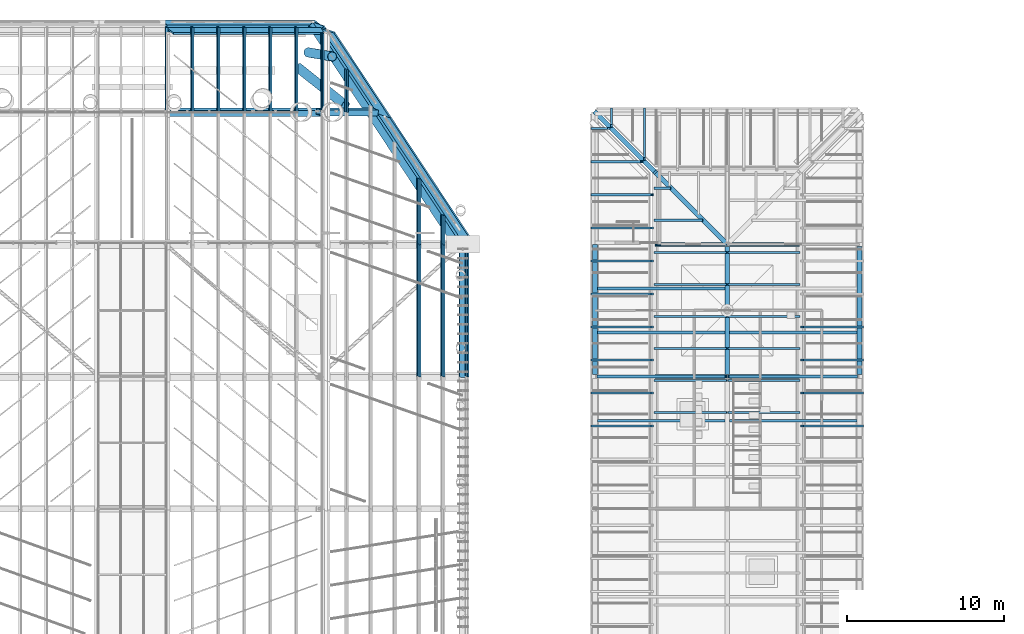
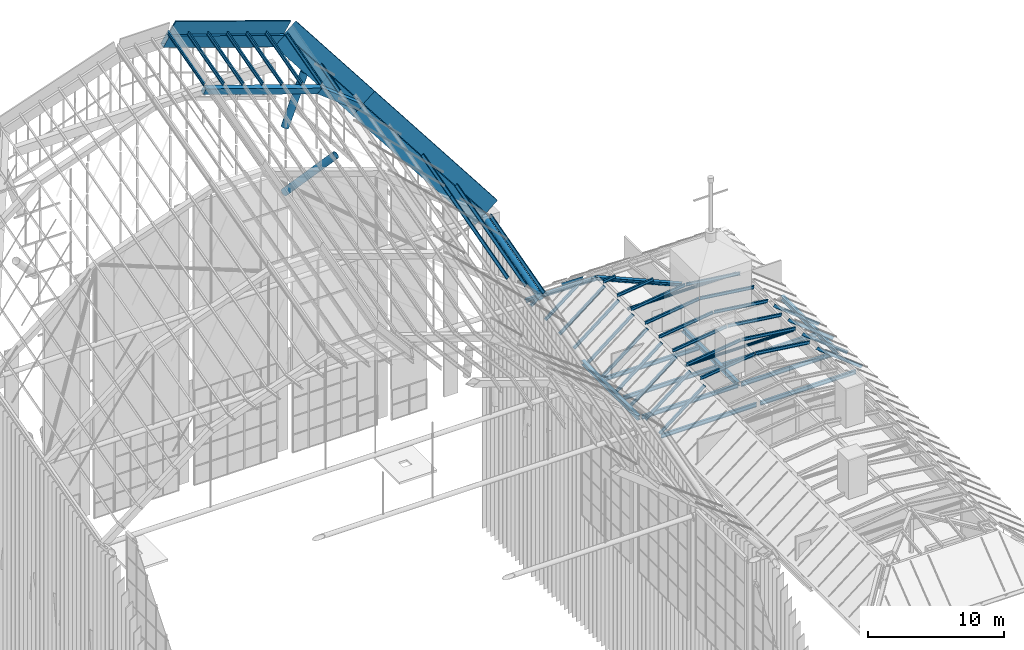
# One storey, part 67 of 126: 50 members, 18 beams.
"""IFC4 building model written with IfcOpenShell, lengths in metres."""

from ifc_helpers import new_model, si_unit, direction, frame, origin, origin_2d, place, context, subcontext, project, spatial, polyline, rectangle, hollow_circle, i_section, outline, extrude, material, material_profile, profile_set, type_object, element, save


model = new_model("IFC4")

# Units and contexts
model_context = context("Model", 3, precision=1e-05, world=origin(), true_north=direction((0.0, 1.0)))
body_context = subcontext(model_context, "Body", "Model", "MODEL_VIEW")
ifc_project = project(units=[si_unit("LENGTHUNIT", "METRE"), si_unit("AREAUNIT", "SQUARE_METRE"), si_unit("VOLUMEUNIT", "CUBIC_METRE"), si_unit("PLANEANGLEUNIT", "RADIAN"), si_unit("MASSUNIT", "GRAM", prefix="KILO")], contexts=[model_context])

# Site, building, storey
site_placement = place(None, origin())
site = spatial("IfcSite", under=ifc_project, at=site_placement, CompositionType="ELEMENT")
building_placement = place(site_placement, origin())
building = spatial("IfcBuilding", under=site, at=building_placement, Name="Sava Quay Ferry Terminal", CompositionType="ELEMENT")
storey_placement = place(building_placement, frame((0.0, 0.0, 15.0)))
storey = spatial("IfcBuildingStorey", under=building, at=storey_placement, Name="L03", CompositionType="ELEMENT", Elevation=15.0)

# Beams
ifc_material_1 = material(Name="Steel S355", Category="steel")
ifc_material_profile_1 = material_profile(ifc_material_1, i_section(OverallWidth=0.169921875, OverallDepth=0.360107421875, WebThickness=0.008056640625, FlangeThickness=0.0126953125, at=origin_2d()), Name="IPE 360")
ifc_profile_set_1 = profile_set([ifc_material_profile_1], Name="Steel S355")
beam_type_1 = type_object("IfcBeamType", Name="Beam IPE 360", PredefinedType="BEAM", material=ifc_profile_set_1)
beam_1_placement = place(storey_placement, frame((92.530029296875, 92.39990234375, -0.31005859375), z_axis=(1.0, 0.0, 0.0), x_axis=(0.0, 1.0, 0.0)))
element("IfcBeam", 1, at=beam_1_placement, inside=storey, type_object=beam_type_1, Name="Beam L03", PredefinedType="BEAM", context=body_context, shape_type="SweptSolid", body=[
    extrude(i_section(OverallWidth=0.169921875, OverallDepth=0.360107421875, WebThickness=0.008056640625, FlangeThickness=0.0126953125, at=origin_2d()), origin(), (0.0, 0.0, 1.0), 8.139892578125),
])
beam_2_placement = place(storey_placement, frame((100.929931640625, 92.39990234375, -0.31005859375), z_axis=(1.0, 0.0, 0.0), x_axis=(0.0, 1.0, 0.0)))
element("IfcBeam", 2, at=beam_2_placement, inside=storey, type_object=beam_type_1, Name="Beam L03", PredefinedType="BEAM", context=body_context, shape_type="SweptSolid", body=[
    extrude(i_section(OverallWidth=0.169921875, OverallDepth=0.360107421875, WebThickness=0.008056640625, FlangeThickness=0.0126953125, at=origin_2d()), origin(), (0.0, 0.0, 1.0), 8.14013671875),
])
for number, where, z_axis, x_axis, name in (
    (3, (92.550048828125, 89.60009765625, -0.31005859375), (1.0, 0.0, 0.0), (0.0, 1.0, 0.0), "Secondary beam L03"),
    (4, (92.550048828125, 95.199951171875, -0.31005859375), (1.0, 0.0, 0.0), (0.0, 1.0, 0.0), "Secondary beam L03"),
    (5, (92.550048828125, 98.0, -0.31005859375), (1.0, 0.0, 0.0), (0.0, 1.0, 0.0), "Secondary beam L03"),
):
    element("IfcBeam", number, at=place(storey_placement, frame(where, z_axis=z_axis, x_axis=x_axis)), inside=storey, type_object=beam_type_1, Name=name, PredefinedType="BEAM", context=body_context, shape_type="SweptSolid", body=[
        extrude(i_section(OverallWidth=0.169921875, OverallDepth=0.360107421875, WebThickness=0.008056640625, FlangeThickness=0.0126953125, at=origin_2d()), origin(), (0.0, 0.0, 1.0), 8.099853515625),
    ])
for number, where, z_axis, x_axis, name in (
    (6, (100.949951171875, 89.60009765625, -0.31005859375), (1.0, 0.0, 0.0), (0.0, 1.0, 0.0), "Secondary beam L03"),
    (7, (100.949951171875, 95.199951171875, -0.31005859375), (1.0, 0.0, 0.0), (0.0, 1.0, 0.0), "Secondary beam L03"),
):
    element("IfcBeam", number, at=place(storey_placement, frame(where, z_axis=z_axis, x_axis=x_axis)), inside=storey, type_object=beam_type_1, Name=name, PredefinedType="BEAM", context=body_context, shape_type="SweptSolid", body=[
        extrude(i_section(OverallWidth=0.169921875, OverallDepth=0.360107421875, WebThickness=0.008056640625, FlangeThickness=0.0126953125, at=origin_2d()), origin(), (0.0, 0.0, 1.0), 8.10009765625),
    ])
ifc_material_2 = material(Name="Steel S355", Category="steel")
ifc_material_profile_2 = material_profile(ifc_material_2, outline(polyline([(-0.199951171875, -0.300048828125), (0.199951171875, -0.300048828125), (0.199951171875, 0.300048828125), (-0.199951171875, 0.300048828125), (-0.199951171875, -0.300048828125)]), holes=[polyline([(-0.175048828125, -0.27490234375), (-0.175048828125, 0.27490234375), (0.175048828125, 0.27490234375), (0.175048828125, -0.27490234375), (-0.175048828125, -0.27490234375)])]), Name="Box 600x400x25 built-up")
ifc_profile_set_2 = profile_set([ifc_material_profile_2], Name="Steel S355")
beam_type_2 = type_object("IfcBeamType", Name="D folded rib Box 600x400x25", PredefinedType="BEAM", material=ifc_profile_set_2)
beam_3_placement = place(storey_placement, frame((65.10009765625, 109.199951171875, 28.420166015625), z_axis=(0.945520775213, 0.0, -0.325561766247), x_axis=(0.081521326209, 0.968141944568, 0.236760318764)))
element("IfcBeam", 8, at=beam_3_placement, inside=storey, type_object=beam_type_2, Name="Departure hall nose frame R7 seg 4", PredefinedType="BEAM", context=body_context, shape_type="SweptSolid", body=[
    extrude(outline(polyline([(-0.199951171875, -0.300048828125), (0.199951171875, -0.300048828125), (0.199951171875, 0.300048828125), (-0.199951171875, 0.300048828125), (-0.199951171875, -0.300048828125)]), holes=[polyline([(-0.175048828125, -0.27490234375), (-0.175048828125, 0.27490234375), (0.175048828125, 0.27490234375), (0.175048828125, -0.27490234375), (-0.175048828125, -0.27490234375)])]), origin(), (0.0, 0.0, 1.0), 10.3330078125),
])
beam_4_placement = place(storey_placement, frame((74.8701171875, 109.199951171875, 25.05615234375), z_axis=(0.787999064152, 0.0, -0.615676436852), x_axis=(0.129733207142, 0.977547206391, 0.166044434542)))
element("IfcBeam", 9, at=beam_4_placement, inside=storey, type_object=beam_type_2, Name="Departure hall nose frame R7 seg 5", PredefinedType="BEAM", context=body_context, shape_type="SweptSolid", body=[
    extrude(outline(polyline([(-0.199951171875, -0.300048828125), (0.199951171875, -0.300048828125), (0.199951171875, 0.300048828125), (-0.199951171875, 0.300048828125), (-0.199951171875, -0.300048828125)]), holes=[polyline([(-0.175048828125, -0.27490234375), (-0.175048828125, 0.27490234375), (0.175048828125, 0.27490234375), (0.175048828125, -0.27490234375), (-0.175048828125, -0.27490234375)])]), origin(), (0.0, 0.0, 1.0), 4.53369140625),
])
ifc_material_3 = material(Name="Steel S355", Category="steel")
ifc_material_profile_3 = material_profile(ifc_material_3, hollow_circle(Radius=0.228515625, WallThickness=0.01611328125, at=origin_2d()), Name="CHS 457 x 16.0")
ifc_profile_set_3 = profile_set([ifc_material_profile_3], Name="Steel S355")
beam_type_3 = type_object("IfcBeamType", Name="Eave beam CHS 457x16", PredefinedType="BEAM", material=ifc_profile_set_3)
beam_5_placement = place(storey_placement, frame((84.0, 92.39990234375, 13.326904296875), z_axis=(0.0, 0.964555206992, 0.26388113359), x_axis=(-1.0, 0.0, 0.0)))
element("IfcBeam", 10, at=beam_5_placement, inside=storey, type_object=beam_type_3, Name="Departure hall eave beam R6", PredefinedType="BEAM", context=body_context, shape_type="SweptSolid", body=[
    extrude(hollow_circle(Radius=0.228515625, WallThickness=0.01611328125, at=origin_2d()), origin(), (0.0, 0.0, 1.0), 8.708740234375),
])
ifc_material_4 = material(Name="Steel S355", Category="steel")
ifc_material_profile_4 = material_profile(ifc_material_4, i_section(OverallWidth=0.300048828125, OverallDepth=0.389892578125, WebThickness=0.010986328125, FlangeThickness=0.01904296875, at=origin_2d()), Name="HE 400 A")
ifc_profile_set_4 = profile_set([ifc_material_profile_4], Name="Steel S355")
beam_type_4 = type_object("IfcBeamType", Name="Girder HE 400 A", PredefinedType="BEAM", material=ifc_profile_set_4)
beam_6_placement = place(storey_placement, frame((100.800048828125, 92.530029296875, -0.324951171875), z_axis=(0.0, 1.0, 0.0), x_axis=(-1.0, 0.0, 0.0)))
element("IfcBeam", 11, at=beam_6_placement, inside=storey, type_object=beam_type_4, Name="Girder L03", PredefinedType="BEAM", context=body_context, shape_type="SweptSolid", body=[
    extrude(i_section(OverallWidth=0.300048828125, OverallDepth=0.389892578125, WebThickness=0.010986328125, FlangeThickness=0.01904296875, at=origin_2d()), origin(), (0.0, 0.0, 1.0), 8.139892578125),
])
beam_7_placement = place(storey_placement, frame((92.39990234375, 92.530029296875, -0.41162109375), z_axis=(0.0, 1.0, 0.0), x_axis=(-1.0, 0.0, 0.0)))
element("IfcBeam", 12, at=beam_7_placement, inside=storey, type_object=beam_type_4, Name="Girder L03", PredefinedType="BEAM", context=body_context, shape_type="SweptSolid", body=[
    extrude(i_section(OverallWidth=0.300048828125, OverallDepth=0.389892578125, WebThickness=0.010986328125, FlangeThickness=0.01904296875, at=origin_2d()), origin(), (0.0, 0.0, 1.0), 8.27001953125),
])
beam_8_placement = place(storey_placement, frame((109.199951171875, 92.530029296875, -0.41162109375), z_axis=(0.0, 1.0, 0.0), x_axis=(-1.0, 0.0, 0.0)))
element("IfcBeam", 13, at=beam_8_placement, inside=storey, type_object=beam_type_4, Name="Girder L03", PredefinedType="BEAM", context=body_context, shape_type="SweptSolid", body=[
    extrude(i_section(OverallWidth=0.300048828125, OverallDepth=0.389892578125, WebThickness=0.010986328125, FlangeThickness=0.01904296875, at=origin_2d()), origin(), (0.0, 0.0, 1.0), 8.139892578125),
])

# Members
ifc_material_5 = material(Name="Steel S355", Category="steel")
ifc_material_profile_5 = material_profile(ifc_material_5, hollow_circle(Radius=0.122314453125, WallThickness=0.008056640625, at=origin_2d()), Name="CHS 244.5 x 8.0")
ifc_profile_set_5 = profile_set([ifc_material_profile_5], Name="Steel S355")
member_type_1 = type_object("IfcMemberType", Name="Knee tie CHS 244.5x8", PredefinedType="USERDEFINED", material=ifc_profile_set_5)
for number, where, z_axis, x_axis, name in (
    (14, (96.21826171875, 92.39990234375, 3.0), (1.0, 0.0, 0.0), (0.0, 1.0, 0.0), "Mansard knee tie O-tie.3"),
    (15, (96.21826171875, 100.800048828125, 3.0), (1.0, 0.0, 0.0), (0.0, 1.0, 0.0), "Mansard knee tie O-tie.4"),
):
    element("IfcMember", number, at=place(storey_placement, frame(where, z_axis=z_axis, x_axis=x_axis)), inside=storey, type_object=member_type_1, Name=name, ObjectType="KNEE TIE", PredefinedType="USERDEFINED", context=body_context, shape_type="SweptSolid", body=[
        extrude(hollow_circle(Radius=0.122314453125, WallThickness=0.008056640625, at=origin_2d()), origin(), (0.0, 0.0, 1.0), 9.16357421875),
    ])

# Beams
ifc_material_6 = material(Name="Steel S355", Category="steel")
ifc_material_profile_6 = material_profile(ifc_material_6, i_section(OverallWidth=0.300048828125, OverallDepth=0.2900390625, WebThickness=0.008544921875, FlangeThickness=0.013916015625, at=origin_2d()), Name="HE 300 A")
ifc_profile_set_6 = profile_set([ifc_material_profile_6], Name="Steel S355")
beam_type_5 = type_object("IfcBeamType", Name="Mansard beam HE 300 A", PredefinedType="BEAM", material=ifc_profile_set_6)
beam_9_placement = place(storey_placement, frame((92.39990234375, 109.199951171875, 0.0), z_axis=(0.618136979793, -0.618097456968, 0.48565647108), x_axis=(0.707084174387, 0.707129387263, 0.0)))
element("IfcBeam", 16, at=beam_9_placement, inside=storey, type_object=beam_type_5, Name="Mansard hip beam hip.E3", PredefinedType="BEAM", context=body_context, shape_type="SweptSolid", body=[
    extrude(i_section(OverallWidth=0.300048828125, OverallDepth=0.2900390625, WebThickness=0.008544921875, FlangeThickness=0.013916015625, at=origin_2d()), origin(), (0.0, 0.0, 1.0), 6.17724609375),
])
beam_10_placement = place(storey_placement, frame((96.21826171875, 105.3818359375, 3.0), z_axis=(0.704093662632, -0.704093662632, 0.092218373888), x_axis=(0.707106781187, 0.707106781187, 0.0)))
element("IfcBeam", 17, at=beam_10_placement, inside=storey, type_object=beam_type_5, Name="Mansard hip beam hip.K3", PredefinedType="BEAM", context=body_context, shape_type="SweptSolid", body=[
    extrude(i_section(OverallWidth=0.300048828125, OverallDepth=0.2900390625, WebThickness=0.008544921875, FlangeThickness=0.013916015625, at=origin_2d()), origin(), (0.0, 0.0, 1.0), 6.50732421875),
])

# Members
ifc_material_7 = material(Name="Steel S355", Category="steel")
ifc_material_profile_7 = material_profile(ifc_material_7, i_section(OverallWidth=0.135009765625, OverallDepth=0.27001953125, WebThickness=0.006591796875, FlangeThickness=0.01025390625, at=origin_2d()), Name="IPE 270")
ifc_profile_set_7 = profile_set([ifc_material_profile_7], Name="Steel S355")
member_type_2 = type_object("IfcMemberType", Name="Mansard rafter IPE 270", PredefinedType="RAFTER", material=ifc_profile_set_7)
for number, where, z_axis, x_axis, name in (
    (18, (109.373046875, 89.25, 0.22021484375), (-0.786332295644, 0.0, 0.617803788291), (0.0, -1.0, 0.0), "Mansard rafter O-L1-RA14"),
    (19, (109.373046875, 91.35009765625, 0.22021484375), (-0.786332295644, 0.0, 0.617803788291), (0.0, -1.0, 0.0), "Mansard rafter O-L1-RA15"),
    (20, (109.373046875, 93.449951171875, 0.22021484375), (-0.786332295644, 0.0, 0.617803788291), (0.0, -1.0, 0.0), "Mansard rafter O-L1-RA16"),
    (21, (109.373046875, 95.550048828125, 0.22021484375), (-0.786332295644, 0.0, 0.617803788291), (0.0, -1.0, 0.0), "Mansard rafter O-L1-RA17"),
):
    element("IfcMember", number, at=place(storey_placement, frame(where, z_axis=z_axis, x_axis=x_axis)), inside=storey, type_object=member_type_2, Name=name, PredefinedType="RAFTER", context=body_context, shape_type="SweptSolid", body=[
        extrude(i_section(OverallWidth=0.135009765625, OverallDepth=0.27001953125, WebThickness=0.006591796875, FlangeThickness=0.01025390625, at=origin_2d()), origin(), (0.0, 0.0, 1.0), 4.85595703125),
    ])
member_1_placement = place(storey_placement, frame((95.550048828125, 109.373046875, 0.22021484375), z_axis=(0.0, -0.786350059008, 0.617781178653), x_axis=(1.0, 0.0, 0.0)))
element("IfcMember", 22, at=member_1_placement, inside=storey, type_object=member_type_2, Name="Mansard rafter O-L2-RA6", PredefinedType="RAFTER", context=body_context, shape_type="SweptSolid", body=[
    extrude(i_section(OverallWidth=0.135009765625, OverallDepth=0.27001953125, WebThickness=0.006591796875, FlangeThickness=0.01025390625, at=origin_2d()), origin(), (0.0, 0.0, 1.0), 4.006103515625),
])
for number, where, z_axis, x_axis, name in (
    (23, (93.449951171875, 109.373046875, 0.22021484375), (0.0, -0.786350059008, 0.617781178653), (1.0, 0.0, 0.0), "Mansard rafter O-L2-RA7"),
    (24, (92.22705078125, 108.14990234375, 0.22021484375), (0.786350059008, 0.0, 0.617781178653), (0.0, 1.0, 0.0), "Mansard rafter O-L3-RA0"),
):
    element("IfcMember", number, at=place(storey_placement, frame(where, z_axis=z_axis, x_axis=x_axis)), inside=storey, type_object=member_type_2, Name=name, PredefinedType="RAFTER", context=body_context, shape_type="SweptSolid", body=[
        extrude(i_section(OverallWidth=0.135009765625, OverallDepth=0.27001953125, WebThickness=0.006591796875, FlangeThickness=0.01025390625, at=origin_2d()), origin(), (0.0, 0.0, 1.0), 1.33544921875),
    ])
member_2_placement = place(storey_placement, frame((92.22705078125, 106.050048828125, 0.22021484375), z_axis=(0.786326798147, 0.0, 0.617810785368), x_axis=(0.0, 1.0, 0.0)))
element("IfcMember", 25, at=member_2_placement, inside=storey, type_object=member_type_2, Name="Mansard rafter O-L3-RA1", PredefinedType="RAFTER", context=body_context, shape_type="SweptSolid", body=[
    extrude(i_section(OverallWidth=0.135009765625, OverallDepth=0.27001953125, WebThickness=0.006591796875, FlangeThickness=0.01025390625, at=origin_2d()), origin(), (0.0, 0.0, 1.0), 4.005859375),
])
for number, where, z_axis, x_axis, name in (
    (26, (92.22705078125, 103.949951171875, 0.22021484375), (0.786313104704, 0.0, 0.617828213479), (0.0, 1.0, 0.0), "Mansard rafter O-L3-RA2"),
    (27, (92.22705078125, 101.85009765625, 0.22021484375), (0.786313104704, 0.0, 0.617828213479), (0.0, 1.0, 0.0), "Mansard rafter O-L3-RA3"),
    (28, (92.22705078125, 99.75, 0.22021484375), (0.786313104704, 0.0, 0.617828213479), (0.0, 1.0, 0.0), "Mansard rafter O-L3-RA4"),
    (29, (92.22705078125, 97.64990234375, 0.22021484375), (0.786313104704, 0.0, 0.617828213479), (0.0, 1.0, 0.0), "Mansard rafter O-L3-RA5"),
    (30, (92.22705078125, 95.550048828125, 0.22021484375), (0.786313104704, 0.0, 0.617828213479), (0.0, 1.0, 0.0), "Mansard rafter O-L3-RA6"),
    (31, (92.22705078125, 93.449951171875, 0.22021484375), (0.786313104704, 0.0, 0.617828213479), (0.0, 1.0, 0.0), "Mansard rafter O-L3-RA7"),
    (32, (92.22705078125, 91.35009765625, 0.22021484375), (0.786313104704, 0.0, 0.617828213479), (0.0, 1.0, 0.0), "Mansard rafter O-L3-RA8"),
    (33, (92.22705078125, 89.25, 0.22021484375), (0.786313104704, 0.0, 0.617828213479), (0.0, 1.0, 0.0), "Mansard rafter O-L3-RA9"),
):
    element("IfcMember", number, at=place(storey_placement, frame(where, z_axis=z_axis, x_axis=x_axis)), inside=storey, type_object=member_type_2, Name=name, PredefinedType="RAFTER", context=body_context, shape_type="SweptSolid", body=[
        extrude(i_section(OverallWidth=0.135009765625, OverallDepth=0.27001953125, WebThickness=0.006591796875, FlangeThickness=0.01025390625, at=origin_2d()), origin(), (0.0, 0.0, 1.0), 4.855712890625),
    ])
for number, where, z_axis, x_axis, name in (
    (34, (105.418212890625, 90.109130859375, 3.277587890625), (-0.991531626892, 0.0, 0.129865441408), (0.0, -1.0, 0.0), "Mansard rafter O-U1-RA13"),
    (35, (105.418212890625, 92.1455078125, 3.277587890625), (-0.991531626892, 0.0, 0.129865441408), (0.0, -1.0, 0.0), "Mansard rafter O-U1-RA14"),
    (36, (105.418212890625, 94.181884765625, 3.277587890625), (-0.991531626892, 0.0, 0.129865441408), (0.0, -1.0, 0.0), "Mansard rafter O-U1-RA15"),
    (37, (105.418212890625, 96.21826171875, 3.277587890625), (-0.991531626892, 0.0, 0.129865441408), (0.0, -1.0, 0.0), "Mansard rafter O-U1-RA16"),
    (38, (105.418212890625, 98.254638671875, 3.277587890625), (-0.991531626892, 0.0, 0.129865441408), (0.0, -1.0, 0.0), "Mansard rafter O-U1-RA17"),
    (39, (105.418212890625, 100.291015625, 3.277587890625), (-0.991531626892, 0.0, 0.129865441408), (0.0, -1.0, 0.0), "Mansard rafter O-U1-RA18"),
):
    element("IfcMember", number, at=place(storey_placement, frame(where, z_axis=z_axis, x_axis=x_axis)), inside=storey, type_object=member_type_2, Name=name, PredefinedType="RAFTER", context=body_context, shape_type="SweptSolid", body=[
        extrude(i_section(OverallWidth=0.135009765625, OverallDepth=0.27001953125, WebThickness=0.006591796875, FlangeThickness=0.01025390625, at=origin_2d()), origin(), (0.0, 0.0, 1.0), 4.620849609375),
    ])
member_3_placement = place(storey_placement, frame((96.181884765625, 104.363525390625, 3.277587890625), z_axis=(0.991536647804, 0.0, 0.129827100648), x_axis=(0.0, 1.0, 0.0)))
element("IfcMember", 40, at=member_3_placement, inside=storey, type_object=member_type_2, Name="Mansard rafter O-U3-RA0", PredefinedType="RAFTER", context=body_context, shape_type="SweptSolid", body=[
    extrude(i_section(OverallWidth=0.135009765625, OverallDepth=0.27001953125, WebThickness=0.006591796875, FlangeThickness=0.01025390625, at=origin_2d()), origin(), (0.0, 0.0, 1.0), 1.02685546875),
])
member_4_placement = place(storey_placement, frame((96.181884765625, 102.327392578125, 3.277587890625), z_axis=(0.991527779259, 0.0, 0.129894814979), x_axis=(0.0, 1.0, 0.0)))
element("IfcMember", 41, at=member_4_placement, inside=storey, type_object=member_type_2, Name="Mansard rafter O-U3-RA1", PredefinedType="RAFTER", context=body_context, shape_type="SweptSolid", body=[
    extrude(i_section(OverallWidth=0.135009765625, OverallDepth=0.27001953125, WebThickness=0.006591796875, FlangeThickness=0.01025390625, at=origin_2d()), origin(), (0.0, 0.0, 1.0), 3.08056640625),
])
for number, where, z_axis, x_axis, name in (
    (42, (96.181884765625, 100.291015625, 3.277587890625), (0.991531626892, 0.0, 0.129865441408), (0.0, 1.0, 0.0), "Mansard rafter O-U3-RA2"),
    (43, (96.181884765625, 98.254638671875, 3.277587890625), (0.991531626892, 0.0, 0.129865441408), (0.0, 1.0, 0.0), "Mansard rafter O-U3-RA3"),
    (44, (96.181884765625, 96.21826171875, 3.277587890625), (0.991531626892, 0.0, 0.129865441408), (0.0, 1.0, 0.0), "Mansard rafter O-U3-RA4"),
    (45, (96.181884765625, 94.181884765625, 3.277587890625), (0.991531626892, 0.0, 0.129865441408), (0.0, 1.0, 0.0), "Mansard rafter O-U3-RA5"),
    (46, (96.181884765625, 92.1455078125, 3.277587890625), (0.991531626892, 0.0, 0.129865441408), (0.0, 1.0, 0.0), "Mansard rafter O-U3-RA6"),
    (47, (96.181884765625, 90.109130859375, 3.277587890625), (0.991531626892, 0.0, 0.129865441408), (0.0, 1.0, 0.0), "Mansard rafter O-U3-RA7"),
):
    element("IfcMember", number, at=place(storey_placement, frame(where, z_axis=z_axis, x_axis=x_axis)), inside=storey, type_object=member_type_2, Name=name, PredefinedType="RAFTER", context=body_context, shape_type="SweptSolid", body=[
        extrude(i_section(OverallWidth=0.135009765625, OverallDepth=0.27001953125, WebThickness=0.006591796875, FlangeThickness=0.01025390625, at=origin_2d()), origin(), (0.0, 0.0, 1.0), 4.620849609375),
    ])

# Beams
ifc_material_8 = material(Name="Steel S355", Category="steel")
ifc_material_profile_8 = material_profile(ifc_material_8, outline(polyline([(-0.22509765625, -0.60009765625), (0.22509765625, -0.60009765625), (0.22509765625, 0.60009765625), (-0.22509765625, 0.60009765625), (-0.22509765625, -0.60009765625)]), holes=[polyline([(-0.195068359375, -0.570068359375), (-0.195068359375, 0.570068359375), (0.195068359375, 0.570068359375), (0.195068359375, -0.570068359375), (-0.195068359375, -0.570068359375)])]), Name="Box 1200x450x30 built-up")
ifc_profile_set_8 = profile_set([ifc_material_profile_8], Name="Steel S355")
beam_type_6 = type_object("IfcBeamType", Name="Prow edge girder Box 1200x450x30", PredefinedType="BEAM", material=ifc_profile_set_8)
beam_11_placement = place(storey_placement, frame((83.8193359375, 100.86328125, 15.393798828125), z_axis=(-0.460666958466, 0.696292552518, 0.550420416305), x_axis=(-0.65235631374, -0.686121423706, 0.321976135538)))
element("IfcBeam", 48, at=beam_11_placement, inside=storey, type_object=beam_type_6, Name="Departure hall prow edge girder R1", PredefinedType="BEAM", context=body_context, shape_type="SweptSolid", body=[
    extrude(outline(polyline([(-0.22509765625, -0.60009765625), (0.22509765625, -0.60009765625), (0.22509765625, 0.60009765625), (-0.22509765625, 0.60009765625), (-0.22509765625, -0.60009765625)]), holes=[polyline([(-0.195068359375, -0.570068359375), (-0.195068359375, 0.570068359375), (0.195068359375, 0.570068359375), (0.195068359375, -0.570068359375), (-0.195068359375, -0.570068359375)])]), origin(), (0.0, 0.0, 1.0), 12.063720703125),
])
beam_12_placement = place(storey_placement, frame((78.261962890625, 109.26318359375, 22.033935546875), z_axis=(-0.460668830303, 0.696339360177, 0.550359631747), x_axis=(-0.652372359139, -0.68608880523, 0.322013130741)))
element("IfcBeam", 49, at=beam_12_placement, inside=storey, type_object=beam_type_6, Name="Departure hall prow edge girder R2", PredefinedType="BEAM", context=body_context, shape_type="SweptSolid", body=[
    extrude(outline(polyline([(-0.22509765625, -0.60009765625), (0.22509765625, -0.60009765625), (0.22509765625, 0.60009765625), (-0.22509765625, 0.60009765625), (-0.22509765625, -0.60009765625)]), holes=[polyline([(-0.195068359375, -0.570068359375), (-0.195068359375, 0.570068359375), (0.195068359375, 0.570068359375), (0.195068359375, -0.570068359375), (-0.195068359375, -0.570068359375)])]), origin(), (0.0, 0.0, 1.0), 7.755126953125),
])
beam_13_placement = place(storey_placement, frame((65.00537109375, 114.675048828125, 29.62255859375), z_axis=(0.945520775213, 0.0, -0.325561766247), x_axis=(0.081513936456, 0.968147815058, 0.23673885689)))
element("IfcBeam", 50, at=beam_13_placement, inside=storey, type_object=beam_type_6, Name="Departure hall prow tip edge girder", PredefinedType="BEAM", context=body_context, shape_type="SweptSolid", body=[
    extrude(outline(polyline([(-0.22509765625, -0.60009765625), (0.22509765625, -0.60009765625), (0.22509765625, 0.60009765625), (-0.22509765625, 0.60009765625), (-0.22509765625, -0.60009765625)]), holes=[polyline([(-0.195068359375, -0.570068359375), (-0.195068359375, 0.570068359375), (0.195068359375, 0.570068359375), (0.195068359375, -0.570068359375), (-0.195068359375, -0.570068359375)])]), origin(), (0.0, 0.0, 1.0), 10.3330078125),
])

# Members
ifc_material_9 = material(Name="Steel S355", Category="steel")
ifc_material_profile_9 = material_profile(ifc_material_9, hollow_circle(Radius=0.304931640625, WallThickness=0.02001953125, at=origin_2d()), Name="CHS 610 x 20.0")
ifc_profile_set_9 = profile_set([ifc_material_profile_9], Name="Steel S355")
member_type_3 = type_object("IfcMemberType", Name="Prow knee brace CHS 610x20", PredefinedType="BRACE", material=ifc_profile_set_9)
member_5_placement = place(storey_placement, frame((73.55078125, 112.016357421875, 14.570068359375), z_axis=(0.558381558386, -0.445091374471, 0.700074070099), x_axis=(0.623315963138, 0.78197008261, 0.0)))
element("IfcMember", 51, at=member_5_placement, inside=storey, type_object=member_type_3, Name="Departure hall prow knee brace R1 to the nose frame leg", PredefinedType="BRACE", context=body_context, shape_type="SweptSolid", body=[
    extrude(hollow_circle(Radius=0.304931640625, WallThickness=0.02001953125, at=origin_2d()), origin(), (0.0, 0.0, 1.0), 5.355224609375),
])
member_6_placement = place(storey_placement, frame((74.19580078125, 112.994873046875, 19.634033203125), z_axis=(0.310017352012, -0.053962064685, 0.949198260126), x_axis=(0.17148307298, 0.985187066339, 0.0)))
element("IfcMember", 52, at=member_6_placement, inside=storey, type_object=member_type_3, Name="Departure hall prow knee brace R2 under the edge girder", PredefinedType="BRACE", context=body_context, shape_type="SweptSolid", body=[
    extrude(hollow_circle(Radius=0.304931640625, WallThickness=0.02001953125, at=origin_2d()), origin(), (0.0, 0.0, 1.0), 4.845458984375),
])
ifc_material_10 = material(Name="Steel S355", Category="steel")
ifc_material_profile_10 = material_profile(ifc_material_10, rectangle(XDim=0.10009765625, YDim=1.31005859375, at=origin_2d()), Name="Blade 100 x 1310")
ifc_profile_set_10 = profile_set([ifc_material_profile_10], Name="Steel S355")
member_type_4 = type_object("IfcMemberType", Name="Roof prow edge blade 100 x 1310", PredefinedType="USERDEFINED", material=ifc_profile_set_10)
member_7_placement = place(storey_placement, frame((84.574462890625, 100.598876953125, 16.3603515625), z_axis=(-0.460672089896, 0.696300308613, 0.550406309753), x_axis=(-0.652359315497, -0.686116886586, 0.321979722073)))
element("IfcMember", 53, at=member_7_placement, inside=storey, type_object=member_type_4, Name="Departure hall prow edge blade R1", ObjectType="EDGE BLADE", PredefinedType="USERDEFINED", context=body_context, shape_type="SweptSolid", body=[
    extrude(rectangle(XDim=0.10009765625, YDim=1.31005859375, at=origin_2d()), origin(), (0.0, 0.0, 1.0), 12.063720703125),
])
member_8_placement = place(storey_placement, frame((79.01708984375, 108.998779296875, 23.000244140625), z_axis=(-0.460693630395, 0.696329261357, 0.550351650031), x_axis=(-0.652352482421, -0.686106752247, 0.322015159891)))
element("IfcMember", 54, at=member_8_placement, inside=storey, type_object=member_type_4, Name="Departure hall prow edge blade R2", ObjectType="EDGE BLADE", PredefinedType="USERDEFINED", context=body_context, shape_type="SweptSolid", body=[
    extrude(rectangle(XDim=0.10009765625, YDim=1.31005859375, at=origin_2d()), origin(), (0.0, 0.0, 1.0), 7.755126953125),
])
member_9_placement = place(storey_placement, frame((65.40087890625, 114.361083984375, 30.77099609375), z_axis=(0.945520775213, 0.0, -0.325561766247), x_axis=(0.081513936456, 0.968147815058, 0.23673885689)))
element("IfcMember", 55, at=member_9_placement, inside=storey, type_object=member_type_4, Name="Departure hall prow tip edge blade", ObjectType="EDGE BLADE", PredefinedType="USERDEFINED", context=body_context, shape_type="SweptSolid", body=[
    extrude(rectangle(XDim=0.10009765625, YDim=1.31005859375, at=origin_2d()), origin(), (0.0, 0.0, 1.0), 10.3330078125),
])
ifc_material_11 = material(Name="Steel S355", Category="steel")
ifc_material_profile_11 = material_profile(ifc_material_11, i_section(OverallWidth=0.135009765625, OverallDepth=0.27001953125, WebThickness=0.006591796875, FlangeThickness=0.01025390625, at=origin_2d()), Name="IPE 270")
ifc_profile_set_11 = profile_set([ifc_material_profile_11], Name="Steel S355")
member_type_5 = type_object("IfcMemberType", Name="Roof purlin IPE 270", PredefinedType="PURLIN", material=ifc_profile_set_11)
for number, where, z_axis, x_axis, name in (
    (56, (81.199462890625, 92.39990234375, 16.079833984375), (0.0, 0.964562342049, 0.263855051686), (-0.798620025874, -0.158797355638, 0.580507927693), "Departure hall purlin bay 6 M4.4"),
    (57, (82.730712890625, 92.39990234375, 14.883544921875), (0.0, 0.964562342049, 0.263855051686), (-0.798620025874, -0.158797355638, 0.580507927693), "Departure hall purlin bay 6 M4.5"),
):
    element("IfcMember", number, at=place(storey_placement, frame(where, z_axis=z_axis, x_axis=x_axis)), inside=storey, type_object=member_type_5, Name=name, PredefinedType="PURLIN", context=body_context, shape_type="SweptSolid", body=[
        extrude(i_section(OverallWidth=0.135009765625, OverallDepth=0.27001953125, WebThickness=0.006591796875, FlangeThickness=0.01025390625, at=origin_2d()), origin(), (0.0, 0.0, 1.0), 8.708740234375),
    ])
member_10_placement = place(storey_placement, frame((84.26171875, 92.39990234375, 13.687255859375), z_axis=(0.0, 0.964558571259, 0.263868835997), x_axis=(-0.798620025874, -0.158805651527, 0.580505658297)))
element("IfcMember", 58, at=member_10_placement, inside=storey, type_object=member_type_5, Name="Departure hall edge purlin bay 6 V5", PredefinedType="PURLIN", context=body_context, shape_type="SweptSolid", body=[
    extrude(i_section(OverallWidth=0.135009765625, OverallDepth=0.27001953125, WebThickness=0.006591796875, FlangeThickness=0.01025390625, at=origin_2d()), origin(), (0.0, 0.0, 1.0), 8.24658203125),
])
member_11_placement = place(storey_placement, frame((81.199462890625, 100.800048828125, 18.377685546875), z_axis=(0.0, 0.964558255488, 0.26386999028), x_axis=(-0.798620025874, -0.158806346216, 0.580505468255)))
element("IfcMember", 59, at=member_11_placement, inside=storey, type_object=member_type_5, Name="Departure hall purlin bay 7 M4.4", PredefinedType="PURLIN", context=body_context, shape_type="SweptSolid", body=[
    extrude(i_section(OverallWidth=0.135009765625, OverallDepth=0.27001953125, WebThickness=0.006591796875, FlangeThickness=0.01025390625, at=origin_2d()), origin(), (0.0, 0.0, 1.0), 4.336669921875),
])
member_12_placement = place(storey_placement, frame((82.730712890625, 100.800048828125, 17.181396484375), z_axis=(0.0, 0.964554129317, 0.263885072745), x_axis=(-0.798620025874, -0.158815423379, 0.580502984979)))
element("IfcMember", 60, at=member_12_placement, inside=storey, type_object=member_type_5, Name="Departure hall purlin bay 7 M4.5", PredefinedType="PURLIN", context=body_context, shape_type="SweptSolid", body=[
    extrude(i_section(OverallWidth=0.135009765625, OverallDepth=0.27001953125, WebThickness=0.006591796875, FlangeThickness=0.01025390625, at=origin_2d()), origin(), (0.0, 0.0, 1.0), 1.937255859375),
])
for number, where, z_axis, x_axis, name in (
    (61, (65.17041015625, 109.199951171875, 28.87109375), (0.0, 0.964569334269, 0.263829489232), (-0.987174217804, -0.04211950309, 0.153990295679), "Departure hall purlin bay 8 V3"),
    (62, (66.821044921875, 109.199951171875, 28.302734375), (0.0, 0.964569334269, 0.263829489232), (-0.94902590028, -0.083158553041, 0.304030418961), "Departure hall purlin bay 8 M3.1"),
    (63, (68.471923828125, 109.199951171875, 27.734375), (0.0, 0.964569334269, 0.263829489232), (-0.94902590028, -0.083158553041, 0.304030418961), "Departure hall purlin bay 8 M3.2"),
    (64, (70.12255859375, 109.199951171875, 27.166015625), (0.0, 0.964569334269, 0.263829489232), (-0.94902590028, -0.083158553041, 0.304030418961), "Departure hall purlin bay 8 M3.3"),
    (65, (71.7734375, 109.199951171875, 26.59765625), (0.0, 0.964569334269, 0.263829489232), (-0.949025874204, -0.083158573755, 0.304030494691), "Departure hall purlin bay 8 M3.4"),
    (66, (73.424072265625, 109.199951171875, 26.029296875), (0.0, 0.964580431033, 0.263788915743), (-0.94902590028, -0.083145764355, 0.30403391664), "Departure hall purlin bay 8 M3.5"),
):
    element("IfcMember", number, at=place(storey_placement, frame(where, z_axis=z_axis, x_axis=x_axis)), inside=storey, type_object=member_type_5, Name=name, PredefinedType="PURLIN", context=body_context, shape_type="SweptSolid", body=[
        extrude(i_section(OverallWidth=0.135009765625, OverallDepth=0.27001953125, WebThickness=0.006591796875, FlangeThickness=0.01025390625, at=origin_2d()), origin(), (0.0, 0.0, 1.0), 5.598388671875),
    ])
member_13_placement = place(storey_placement, frame((75.07470703125, 109.199951171875, 25.460693359375), z_axis=(0.0, 0.964570574302, 0.263824955589), x_axis=(-0.885496565881, -0.122585189447, 0.448183782774)))
element("IfcMember", 67, at=member_13_placement, inside=storey, type_object=member_type_5, Name="Departure hall purlin bay 8 V4", PredefinedType="PURLIN", context=body_context, shape_type="SweptSolid", body=[
    extrude(i_section(OverallWidth=0.135009765625, OverallDepth=0.27001953125, WebThickness=0.006591796875, FlangeThickness=0.01025390625, at=origin_2d()), origin(), (0.0, 0.0, 1.0), 5.2255859375),
])
member_14_placement = place(storey_placement, frame((76.60595703125, 109.199951171875, 24.2646484375), z_axis=(0.0, 0.964572190587, 0.263819046216), x_axis=(-0.79861600741, -0.158777093044, 0.580518998339)))
element("IfcMember", 68, at=member_14_placement, inside=storey, type_object=member_type_5, Name="Departure hall purlin bay 8 M4.1", PredefinedType="PURLIN", context=body_context, shape_type="SweptSolid", body=[
    extrude(i_section(OverallWidth=0.135009765625, OverallDepth=0.27001953125, WebThickness=0.006591796875, FlangeThickness=0.01025390625, at=origin_2d()), origin(), (0.0, 0.0, 1.0), 2.826171875),
])

save(model, "model.ifc")
